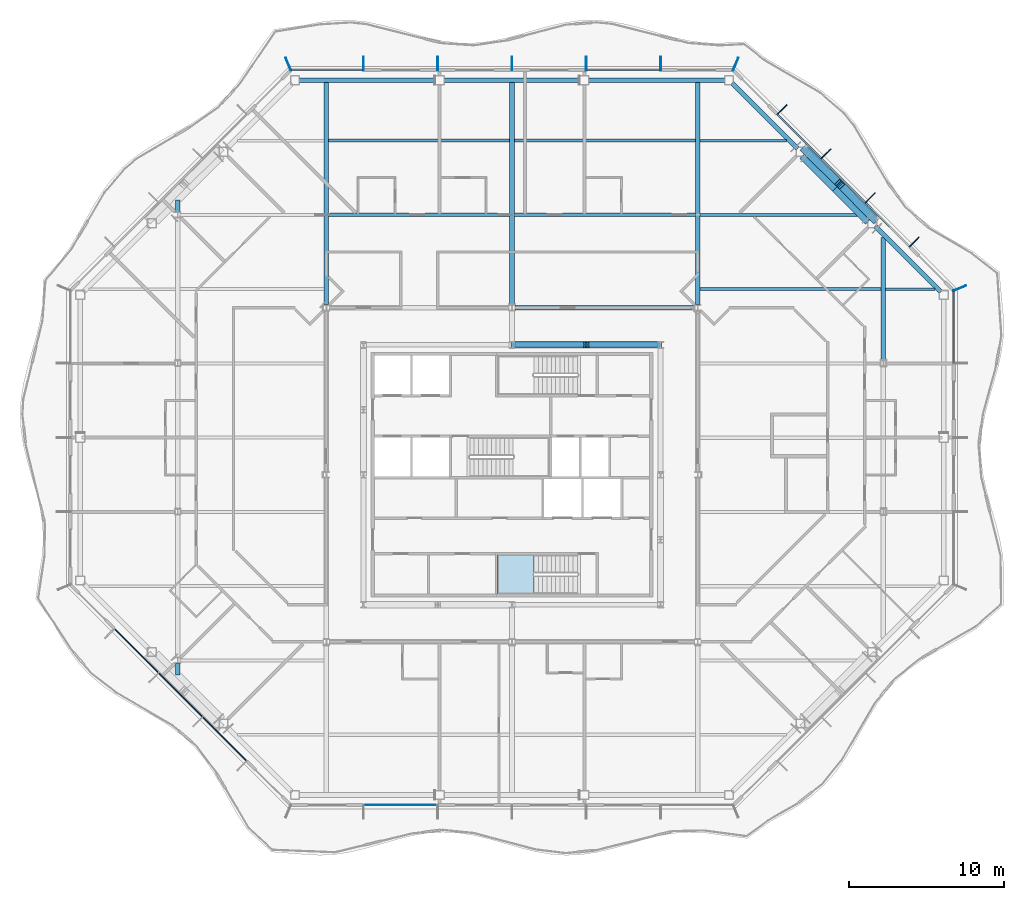
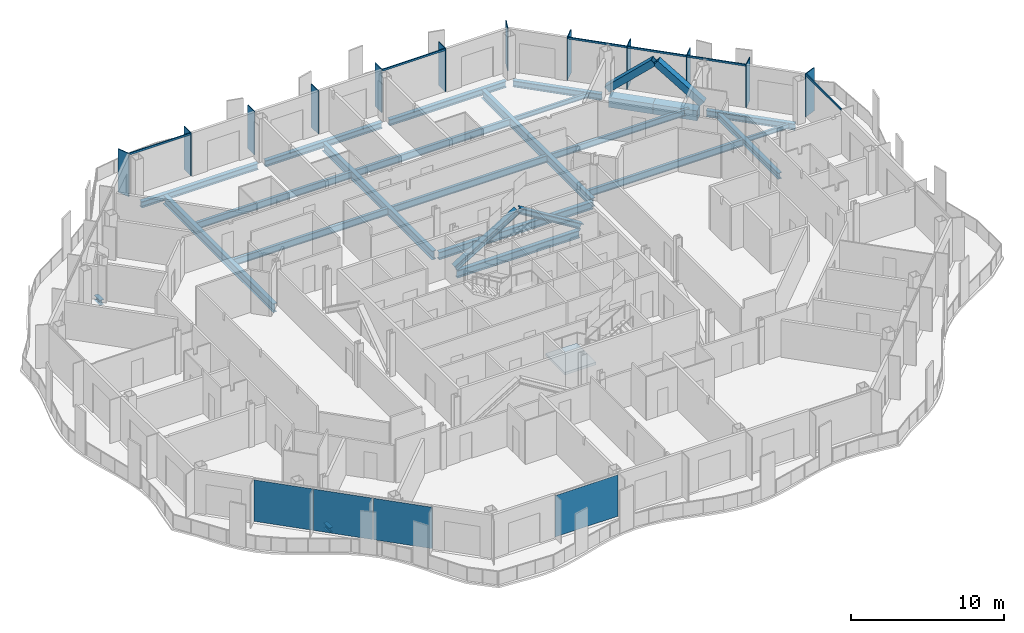
# One storey, part 5 of 20: 23 beams, 22 members, 4 plates, 1 slab, 7 elements without a shape of their own.
"""IFC4 building model written with IfcOpenShell, lengths in metres."""

from ifc_helpers import new_model, si_unit, direction, frame, origin, origin_2d, place, context, subcontext, project, spatial, polyline, rectangle, hollow_rectangle, i_section, outline, extrude, material, layer, layer_set, material_profile, profile_set, type_object, element, aggregate, save


model = new_model("IFC4")

# Units and contexts
model_context = context("Model", 3, precision=1e-05, world=origin(), true_north=direction((0.0, 1.0)))
body_context = subcontext(model_context, "Body", "Model", "MODEL_VIEW")
ifc_project = project(units=[si_unit("LENGTHUNIT", "METRE"), si_unit("AREAUNIT", "SQUARE_METRE"), si_unit("VOLUMEUNIT", "CUBIC_METRE"), si_unit("PLANEANGLEUNIT", "RADIAN"), si_unit("MASSUNIT", "GRAM", prefix="KILO")], contexts=[model_context])

# Site, building, storey
site_placement = place(None, origin())
site = spatial("IfcSite", under=ifc_project, at=site_placement, CompositionType="ELEMENT")
building_placement = place(site_placement, origin())
building = spatial("IfcBuilding", under=site, at=building_placement, Name="Cairn Pilgrim Tower", CompositionType="ELEMENT")
storey_placement = place(building_placement, frame((0.0, 0.0, 165.0)))
storey = spatial("IfcBuildingStorey", under=building, at=storey_placement, Name="L41", CompositionType="ELEMENT", Elevation=165.0)

# Members
ifc_material_1 = material(Name="Structural steel S460M", Category="steel")
ifc_material_profile_1 = material_profile(ifc_material_1, hollow_rectangle(XDim=0.5, YDim=0.5, WallThickness=0.030029296875, at=origin_2d()), Name="BOX 500x500x30")
ifc_profile_set_1 = profile_set([ifc_material_profile_1], Name="Structural steel S460M")
member_type_1 = type_object("IfcMemberType", Name="BOX 500x500x30 BRACE", PredefinedType="BRACE", material=ifc_profile_set_1)
for number, where, z_axis, x_axis, name in (
    (1, (30.643310546875, 18.89794921875, 0.14990234375), (-0.53283023714, 0.540432836476, 0.651171473306), (-0.712097799006, -0.702080283622, 0.0), "XB-NE2-NE3-1"),
    (2, (26.097900390625, 23.443359375, 0.14990234375), (0.540432836476, -0.53283023714, 0.651171473306), (0.702080283622, 0.712097799006, 0.0), "XB-NE2-NE3-2"),
):
    element("IfcMember", number, at=place(storey_placement, frame(where, z_axis=z_axis, x_axis=x_axis)), inside=storey, type_object=member_type_1, Name=name, PredefinedType="BRACE", context=body_context, shape_type="SweptSolid", body=[
        extrude(hollow_rectangle(XDim=0.5, YDim=0.5, WallThickness=0.030029296875, at=origin_2d()), origin(), (0.0, 0.0, 1.0), 4.142578125),
    ])

# Beams
ifc_material_2 = material(Name="Structural steel S355J2", Category="steel")
ifc_material_profile_2 = material_profile(ifc_material_2, hollow_rectangle(XDim=0.699951171875, YDim=0.800048828125, WallThickness=0.0400390625, at=origin_2d()), Name="BOX 700x800x40")
ifc_profile_set_2 = profile_set([ifc_material_profile_2], Name="Structural steel S355J2")
beam_type_1 = type_object("IfcBeamType", Name="BOX 700x800x40 RING GIRDER", PredefinedType="SPANDREL", material=ifc_profile_set_2)
beam_1_placement = place(storey_placement, frame((30.284912109375, 18.84228515625, -0.550048828125), z_axis=(-0.707106781187, 0.707106781187, 0.0), x_axis=(-0.707106781187, -0.707106781187, 0.0)))
element("IfcBeam", 3, at=beam_1_placement, inside=storey, type_object=beam_type_1, Name="RG2-NE2-NE3-1", PredefinedType="SPANDREL", context=body_context, shape_type="SweptSolid", body=[
    extrude(hollow_rectangle(XDim=0.699951171875, YDim=0.800048828125, WallThickness=0.0400390625, at=origin_2d()), origin(), (0.0, 0.0, 1.0), 3.0),
])
beam_2_placement = place(storey_placement, frame((28.16357421875, 20.963623046875, -0.550048828125), z_axis=(-0.707106781187, 0.707106781187, 0.0), x_axis=(-0.707106781187, -0.707106781187, 0.0)))
element("IfcBeam", 4, at=beam_2_placement, inside=storey, type_object=beam_type_1, Name="RG2-NE2-NE3-2", PredefinedType="SPANDREL", context=body_context, shape_type="SweptSolid", body=[
    extrude(hollow_rectangle(XDim=0.699951171875, YDim=0.800048828125, WallThickness=0.0400390625, at=origin_2d()), origin(), (0.0, 0.0, 1.0), 2.999755859375),
])

# Curtain wall, members
ifc_material_3 = material(Name="Aluminium alloy 6063-T6 bronze anodised with Bronze tinted laminated low-E glass 8+16+8.8", Category="aluminium")
curtain_wall_type_1 = type_object("IfcCurtainWallType", Name="CHAMFER CORNER CURTAIN WALL", PredefinedType="NOTDEFINED", material=ifc_material_3)
curtain_wall_1_placement = place(storey_placement, origin())
curtain_wall_1 = element("IfcCurtainWall", 5, at=curtain_wall_1_placement, inside=storey, type_object=curtain_wall_type_1, Name="Chamfer Corner Curtain Wall NE", PredefinedType="NOTDEFINED")
ifc_material_4 = material(Name="Aluminium alloy 6063-T6 bronze anodised", Category="aluminium")
ifc_material_profile_3 = material_profile(ifc_material_4, rectangle(XDim=0.89990234375, YDim=0.06005859375, at=origin_2d()), Name="FIN MULLION 60x900 BRONZE")
ifc_profile_set_3 = profile_set([ifc_material_profile_3], Name="Aluminium alloy 6063-T6 bronze anodised")
member_type_2 = type_object("IfcMemberType", Name="FIN MULLION 60x900 BRONZE", PredefinedType="MULLION", material=ifc_profile_set_3)
member_1_placement = place(storey_placement, frame((36.137939453125, 14.457275390625, 0.0), z_axis=(0.0, 0.0, 1.0), x_axis=(0.923879532511, 0.382683432365, 0.0)))
member_1 = element("IfcMember", 6, at=member_1_placement, type_object=member_type_2, Name="Fin mullion NE1", PredefinedType="MULLION", context=body_context, shape_type="SweptSolid", body=[
    extrude(rectangle(XDim=0.89990234375, YDim=0.06005859375, at=origin_2d()), origin(), (0.0, 0.0, 1.0), 3.449951171875),
])
member_2_placement = place(storey_placement, frame((33.1962890625, 17.444091796875, 0.0), z_axis=(0.0, 0.0, 1.0), x_axis=(0.707106781187, 0.707106781187, 0.0)))
member_2 = element("IfcMember", 7, at=member_2_placement, type_object=member_type_2, Name="Fin mullion NE2", PredefinedType="MULLION", context=body_context, shape_type="SweptSolid", body=[
    extrude(rectangle(XDim=0.89990234375, YDim=0.06005859375, at=origin_2d()), origin(), (0.0, 0.0, 1.0), 3.449951171875),
])
member_3_placement = place(storey_placement, frame((30.345458984375, 20.294921875, 0.0), z_axis=(0.0, 0.0, 1.0), x_axis=(0.707106781187, 0.707106781187, 0.0)))
member_3 = element("IfcMember", 8, at=member_3_placement, type_object=member_type_2, Name="Fin mullion NE3", PredefinedType="MULLION", context=body_context, shape_type="SweptSolid", body=[
    extrude(rectangle(XDim=0.89990234375, YDim=0.06005859375, at=origin_2d()), origin(), (0.0, 0.0, 1.0), 3.449951171875),
])
member_4_placement = place(storey_placement, frame((27.494873046875, 23.1455078125, 0.0), z_axis=(0.0, 0.0, 1.0), x_axis=(0.707106781187, 0.707106781187, 0.0)))
member_4 = element("IfcMember", 9, at=member_4_placement, type_object=member_type_2, Name="Fin mullion NE4", PredefinedType="MULLION", context=body_context, shape_type="SweptSolid", body=[
    extrude(rectangle(XDim=0.89990234375, YDim=0.06005859375, at=origin_2d()), origin(), (0.0, 0.0, 1.0), 3.449951171875),
])
member_5_placement = place(storey_placement, frame((24.64404296875, 25.996337890625, 0.0), z_axis=(0.0, 0.0, 1.0), x_axis=(0.707106781187, 0.707106781187, 0.0)))
member_5 = element("IfcMember", 10, at=member_5_placement, type_object=member_type_2, Name="Fin mullion NE5", PredefinedType="MULLION", context=body_context, shape_type="SweptSolid", body=[
    extrude(rectangle(XDim=0.89990234375, YDim=0.06005859375, at=origin_2d()), origin(), (0.0, 0.0, 1.0), 3.449951171875),
])

curtain_wall_type_2 = type_object("IfcCurtainWallType", Name="TOWER STICK CURTAIN WALL NS", PredefinedType="NOTDEFINED", material=ifc_material_3)
curtain_wall_2_placement = place(storey_placement, origin())
curtain_wall_2 = element("IfcCurtainWall", 11, at=curtain_wall_2_placement, inside=storey, type_object=curtain_wall_type_2, Name="Tower Stick Curtain Wall Ns N", PredefinedType="NOTDEFINED")
member_6_placement = place(storey_placement, frame((21.6572265625, 28.93798828125, 0.0), z_axis=(0.0, 0.0, 1.0), x_axis=(0.382683432365, 0.923879532511, 0.0)))
member_6 = element("IfcMember", 12, at=member_6_placement, type_object=member_type_2, Name="Fin mullion N1", PredefinedType="MULLION", context=body_context, shape_type="SweptSolid", body=[
    extrude(rectangle(XDim=0.89990234375, YDim=0.06005859375, at=origin_2d()), origin(), (0.0, 0.0, 1.0), 3.449951171875),
])
member_7_placement = place(storey_placement, frame((16.800048828125, 28.969970703125, 0.0), z_axis=(0.0, 0.0, 1.0), x_axis=(0.0, 1.0, 0.0)))
member_7 = element("IfcMember", 13, at=member_7_placement, type_object=member_type_2, Name="Fin mullion N2", PredefinedType="MULLION", context=body_context, shape_type="SweptSolid", body=[
    extrude(rectangle(XDim=0.89990234375, YDim=0.06005859375, at=origin_2d()), origin(), (0.0, 0.0, 1.0), 3.449951171875),
])
member_8_placement = place(storey_placement, frame((12.0, 28.969970703125, 0.0), z_axis=(0.0, 0.0, 1.0), x_axis=(0.0, 1.0, 0.0)))
member_8 = element("IfcMember", 14, at=member_8_placement, type_object=member_type_2, Name="Fin mullion N3", PredefinedType="MULLION", context=body_context, shape_type="SweptSolid", body=[
    extrude(rectangle(XDim=0.89990234375, YDim=0.06005859375, at=origin_2d()), origin(), (0.0, 0.0, 1.0), 3.449951171875),
])
member_9_placement = place(storey_placement, frame((7.199951171875, 28.969970703125, 0.0), z_axis=(0.0, 0.0, 1.0), x_axis=(0.0, 1.0, 0.0)))
member_9 = element("IfcMember", 15, at=member_9_placement, type_object=member_type_2, Name="Fin mullion N4", PredefinedType="MULLION", context=body_context, shape_type="SweptSolid", body=[
    extrude(rectangle(XDim=0.89990234375, YDim=0.06005859375, at=origin_2d()), origin(), (0.0, 0.0, 1.0), 3.449951171875),
])
member_10_placement = place(storey_placement, frame((2.39990234375, 28.969970703125, 0.0), z_axis=(0.0, 0.0, 1.0), x_axis=(0.0, 1.0, 0.0)))
member_10 = element("IfcMember", 16, at=member_10_placement, type_object=member_type_2, Name="Fin mullion N5", PredefinedType="MULLION", context=body_context, shape_type="SweptSolid", body=[
    extrude(rectangle(XDim=0.89990234375, YDim=0.06005859375, at=origin_2d()), origin(), (0.0, 0.0, 1.0), 3.449951171875),
])
member_11_placement = place(storey_placement, frame((-2.39990234375, 28.969970703125, 0.0), z_axis=(0.0, 0.0, 1.0), x_axis=(0.0, 1.0, 0.0)))
member_11 = element("IfcMember", 17, at=member_11_placement, type_object=member_type_2, Name="Fin mullion N6", PredefinedType="MULLION", context=body_context, shape_type="SweptSolid", body=[
    extrude(rectangle(XDim=0.89990234375, YDim=0.06005859375, at=origin_2d()), origin(), (0.0, 0.0, 1.0), 3.449951171875),
])

# Curtain wall, member
curtain_wall_3_placement = place(storey_placement, origin())
curtain_wall_3 = element("IfcCurtainWall", 18, at=curtain_wall_3_placement, inside=storey, type_object=curtain_wall_type_1, Name="Chamfer Corner Curtain Wall NW", PredefinedType="NOTDEFINED")
member_12_placement = place(storey_placement, frame((-7.257080078125, 28.93798828125, 0.0), z_axis=(0.0, 0.0, 1.0), x_axis=(-0.382683432365, 0.923879532511, 0.0)))
member_12 = element("IfcMember", 19, at=member_12_placement, type_object=member_type_2, Name="Fin mullion NW1", PredefinedType="MULLION", context=body_context, shape_type="SweptSolid", body=[
    extrude(rectangle(XDim=0.89990234375, YDim=0.06005859375, at=origin_2d()), origin(), (0.0, 0.0, 1.0), 3.449951171875),
])
aggregate(curtain_wall_3, [member_12])

# Members
ifc_material_profile_4 = material_profile(ifc_material_1, i_section(OverallWidth=0.408935546875, OverallDepth=0.425048828125, WebThickness=0.03271484375, FlangeThickness=0.052490234375, FilletRadius=0.014892578125, at=origin_2d()), Name="HD 400x421")
ifc_profile_set_4 = profile_set([ifc_material_profile_4], Name="Structural steel S460M")
member_type_3 = type_object("IfcMemberType", Name="HD 400x421 BRACE", PredefinedType="BRACE", material=ifc_profile_set_4)
for number, where, z_axis, x_axis, name in (
    (20, (16.75830078125, 10.800048828125, 0.10009765625), (-0.851119565216, 0.0, 0.524971890397), (0.0, -1.0, 0.0), "KB-3A"),
    (21, (7.24169921875, 10.800048828125, 0.10009765625), (0.851119565216, 0.0, 0.524971890397), (0.0, 1.0, 0.0), "KB-3B"),
):
    element("IfcMember", number, at=place(storey_placement, frame(where, z_axis=z_axis, x_axis=x_axis)), inside=storey, type_object=member_type_3, Name=name, PredefinedType="BRACE", context=body_context, shape_type="SweptSolid", body=[
        extrude(i_section(OverallWidth=0.408935546875, OverallDepth=0.425048828125, WebThickness=0.03271484375, FlangeThickness=0.052490234375, FilletRadius=0.014892578125, at=origin_2d()), origin(), (0.0, 0.0, 1.0), 5.528076171875),
    ])

# Beams
ifc_material_profile_5 = material_profile(ifc_material_2, i_section(OverallWidth=0.300048828125, OverallDepth=0.39990234375, WebThickness=0.013427734375, FlangeThickness=0.02392578125, FilletRadius=0.027099609375, at=origin_2d()), Name="HEB 400")
ifc_profile_set_5 = profile_set([ifc_material_profile_5], Name="Structural steel S355J2")
beam_type_2 = type_object("IfcBeamType", Name="HEB 400 GIRDER", PredefinedType="BEAM", material=ifc_profile_set_5)
for number, where, z_axis, x_axis, name in (
    (22, (-14.39990234375, -10.545166015625, -0.35009765625), (0.0, 1.0, 0.0), (-1.0, 0.0, 0.0), "PG1-E1"),
    (23, (-14.39990234375, 19.3994140625, -0.35009765625), (0.0, 1.0, 0.0), (-1.0, 0.0, 0.0), "PG1-E2"),
):
    element("IfcBeam", number, at=place(storey_placement, frame(where, z_axis=z_axis, x_axis=x_axis)), inside=storey, type_object=beam_type_2, Name=name, PredefinedType="BEAM", context=body_context, shape_type="SweptSolid", body=[
        extrude(i_section(OverallWidth=0.300048828125, OverallDepth=0.39990234375, WebThickness=0.013427734375, FlangeThickness=0.02392578125, FilletRadius=0.027099609375, at=origin_2d()), origin(), (0.0, 0.0, 1.0), 0.74560546875),
    ])
ifc_material_profile_6 = material_profile(ifc_material_2, i_section(OverallWidth=0.300048828125, OverallDepth=0.5, WebThickness=0.014404296875, FlangeThickness=0.028076171875, FilletRadius=0.027099609375, at=origin_2d()), Name="HEB 500")
ifc_profile_set_6 = profile_set([ifc_material_profile_6], Name="Structural steel S355J2")
beam_type_3 = type_object("IfcBeamType", Name="HEB 500 GIRDER", PredefinedType="BEAM", material=ifc_profile_set_6)
beam_3_placement = place(storey_placement, frame((31.199951171875, 9.804443359375, -0.39990234375), z_axis=(0.0, 1.0, 0.0), x_axis=(-1.0, 0.0, 0.0)))
element("IfcBeam", 24, at=beam_3_placement, inside=storey, type_object=beam_type_3, Name="PG5-3", PredefinedType="BEAM", context=body_context, shape_type="SweptSolid", body=[
    extrude(i_section(OverallWidth=0.300048828125, OverallDepth=0.5, WebThickness=0.014404296875, FlangeThickness=0.028076171875, FilletRadius=0.027099609375, at=origin_2d()), origin(), (0.0, 0.0, 1.0), 7.940673828125),
])
ifc_material_profile_7 = material_profile(ifc_material_2, i_section(OverallWidth=0.300048828125, OverallDepth=0.5, WebThickness=0.014404296875, FlangeThickness=0.028076171875, FilletRadius=0.027099609375, at=origin_2d()), Name="HEB 500")
ifc_profile_set_7 = profile_set([ifc_material_profile_7], Name="Structural steel S355J2")
beam_type_4 = type_object("IfcBeamType", Name="HEB 500 RING GIRDER", PredefinedType="SPANDREL", material=ifc_profile_set_7)
beam_4_placement = place(storey_placement, frame((34.9091796875, 14.218017578125, -0.39990234375), z_axis=(-0.707086435425, 0.707127126363, 0.0), x_axis=(-0.707127126363, -0.707086435425, 0.0)))
element("IfcBeam", 25, at=beam_4_placement, inside=storey, type_object=beam_type_4, Name="RG2-NE1-NE2", PredefinedType="SPANDREL", context=body_context, shape_type="SweptSolid", body=[
    extrude(i_section(OverallWidth=0.300048828125, OverallDepth=0.5, WebThickness=0.014404296875, FlangeThickness=0.028076171875, FilletRadius=0.027099609375, at=origin_2d()), origin(), (0.0, 0.0, 1.0), 5.999755859375),
])
beam_5_placement = place(storey_placement, frame((25.66064453125, 23.466796875, -0.39990234375), z_axis=(-0.707127127534, 0.707086434254, 0.0), x_axis=(-0.707086434254, -0.707127127534, 0.0)))
element("IfcBeam", 26, at=beam_5_placement, inside=storey, type_object=beam_type_4, Name="RG2-NE3-N1", PredefinedType="SPANDREL", context=body_context, shape_type="SweptSolid", body=[
    extrude(i_section(OverallWidth=0.300048828125, OverallDepth=0.5, WebThickness=0.014404296875, FlangeThickness=0.028076171875, FilletRadius=0.027099609375, at=origin_2d()), origin(), (0.0, 0.0, 1.0), 5.99951171875),
])
for number, where, z_axis, x_axis, name in (
    (27, (20.957275390625, 27.89990234375, -0.39990234375), (-1.0, 0.0, 0.0), (0.0, -1.0, 0.0), "RG2-N1-N2"),
    (28, (11.605712890625, 27.89990234375, -0.39990234375), (-1.0, 0.0, 0.0), (0.0, -1.0, 0.0), "RG2-N2-N3"),
    (29, (2.25439453125, 27.89990234375, -0.39990234375), (-1.0, 0.0, 0.0), (0.0, -1.0, 0.0), "RG2-N3-NW1"),
):
    element("IfcBeam", number, at=place(storey_placement, frame(where, z_axis=z_axis, x_axis=x_axis)), inside=storey, type_object=beam_type_4, Name=name, PredefinedType="SPANDREL", context=body_context, shape_type="SweptSolid", body=[
        extrude(i_section(OverallWidth=0.300048828125, OverallDepth=0.5, WebThickness=0.014404296875, FlangeThickness=0.028076171875, FilletRadius=0.027099609375, at=origin_2d()), origin(), (0.0, 0.0, 1.0), 8.8115234375),
    ])
ifc_material_profile_8 = material_profile(ifc_material_2, i_section(OverallWidth=0.300048828125, OverallDepth=0.60009765625, WebThickness=0.015380859375, FlangeThickness=0.030029296875, FilletRadius=0.027099609375, at=origin_2d()), Name="HEB 600")
ifc_profile_set_8 = profile_set([ifc_material_profile_8], Name="Structural steel S355J2")
beam_type_5 = type_object("IfcBeamType", Name="HEB 600 CORE BEAM", PredefinedType="BEAM", material=ifc_profile_set_8)
beam_6_placement = place(storey_placement, frame((16.61279296875, 10.800048828125, -0.449951171875), z_axis=(-1.0, 0.0, 0.0), x_axis=(0.0, -1.0, 0.0)))
element("IfcBeam", 30, at=beam_6_placement, inside=storey, type_object=beam_type_5, Name="CB-5", PredefinedType="BEAM", context=body_context, shape_type="SweptSolid", body=[
    extrude(i_section(OverallWidth=0.300048828125, OverallDepth=0.60009765625, WebThickness=0.015380859375, FlangeThickness=0.030029296875, FilletRadius=0.027099609375, at=origin_2d()), origin(), (0.0, 0.0, 1.0), 9.2255859375),
])
ifc_material_profile_9 = material_profile(ifc_material_2, i_section(OverallWidth=0.300048828125, OverallDepth=0.60009765625, WebThickness=0.015380859375, FlangeThickness=0.030029296875, FilletRadius=0.027099609375, at=origin_2d()), Name="HEB 600")
ifc_profile_set_9 = profile_set([ifc_material_profile_9], Name="Structural steel S355J2")
beam_type_6 = type_object("IfcBeamType", Name="HEB 600 INNER GIRDER", PredefinedType="BEAM", material=ifc_profile_set_9)
beam_7_placement = place(storey_placement, frame((7.3994140625, 13.199951171875, -0.449951171875), z_axis=(1.0, 0.0, 0.0), x_axis=(0.0, 1.0, 0.0)))
element("IfcBeam", 31, at=beam_7_placement, inside=storey, type_object=beam_type_6, Name="IG2-2", PredefinedType="BEAM", context=body_context, shape_type="SweptSolid", body=[
    extrude(i_section(OverallWidth=0.300048828125, OverallDepth=0.60009765625, WebThickness=0.015380859375, FlangeThickness=0.030029296875, FilletRadius=0.027099609375, at=origin_2d()), origin(), (0.0, 0.0, 1.0), 11.60107421875),
])
ifc_material_profile_10 = material_profile(ifc_material_2, i_section(OverallWidth=0.300048828125, OverallDepth=0.699951171875, WebThickness=0.01708984375, FlangeThickness=0.031982421875, FilletRadius=0.027099609375, at=origin_2d()), Name="HEB 700")
ifc_profile_set_10 = profile_set([ifc_material_profile_10], Name="Structural steel S355J2")
beam_type_7 = type_object("IfcBeamType", Name="HEB 700 GIRDER", PredefinedType="BEAM", material=ifc_profile_set_10)
for number, where, z_axis, x_axis, name in (
    (32, (-4.800048828125, 13.3994140625, -0.5), (0.0, 1.0, 0.0), (-1.0, 0.0, 0.0), "PG2-4"),
    (33, (7.199951171875, 13.3994140625, -0.5), (0.0, 1.0, 0.0), (-1.0, 0.0, 0.0), "PG3-2"),
    (34, (19.199951171875, 13.3994140625, -0.5), (0.0, 1.0, 0.0), (-1.0, 0.0, 0.0), "PG4-4"),
):
    element("IfcBeam", number, at=place(storey_placement, frame(where, z_axis=z_axis, x_axis=x_axis)), inside=storey, type_object=beam_type_7, Name=name, PredefinedType="BEAM", context=body_context, shape_type="SweptSolid", body=[
        extrude(i_section(OverallWidth=0.300048828125, OverallDepth=0.699951171875, WebThickness=0.01708984375, FlangeThickness=0.031982421875, FilletRadius=0.027099609375, at=origin_2d()), origin(), (0.0, 0.0, 1.0), 14.380615234375),
    ])
ifc_material_profile_11 = material_profile(ifc_material_2, i_section(OverallWidth=0.169921875, OverallDepth=0.360107421875, WebThickness=0.008056640625, FlangeThickness=0.0126953125, FilletRadius=0.01806640625, at=origin_2d()), Name="IPE 360")
ifc_profile_set_11 = profile_set([ifc_material_profile_11], Name="Structural steel S355J2")
beam_type_8 = type_object("IfcBeamType", Name="IPE 360 SECONDARY BEAM", PredefinedType="JOIST", material=ifc_profile_set_11)
beam_8_placement = place(storey_placement, frame((31.35009765625, 14.39990234375, -0.330078125), z_axis=(1.0, 0.0, 0.0), x_axis=(0.0, 1.0, 0.0)))
element("IfcBeam", 35, at=beam_8_placement, inside=storey, type_object=beam_type_8, Name="SB7-4", PredefinedType="JOIST", context=body_context, shape_type="SweptSolid", body=[
    extrude(i_section(OverallWidth=0.169921875, OverallDepth=0.360107421875, WebThickness=0.008056640625, FlangeThickness=0.0126953125, FilletRadius=0.01806640625, at=origin_2d()), origin(), (0.0, 0.0, 1.0), 3.195068359375),
])
beam_9_placement = place(storey_placement, frame((19.35009765625, 24.0, -0.330078125), z_axis=(1.0, 0.0, 0.0), x_axis=(0.0, 1.0, 0.0)))
element("IfcBeam", 36, at=beam_9_placement, inside=storey, type_object=beam_type_8, Name="SB9-4", PredefinedType="JOIST", context=body_context, shape_type="SweptSolid", body=[
    extrude(i_section(OverallWidth=0.169921875, OverallDepth=0.360107421875, WebThickness=0.008056640625, FlangeThickness=0.0126953125, FilletRadius=0.01806640625, at=origin_2d()), origin(), (0.0, 0.0, 1.0), 5.594970703125),
])
ifc_material_profile_12 = material_profile(ifc_material_2, i_section(OverallWidth=0.199951171875, OverallDepth=0.5, WebThickness=0.01025390625, FlangeThickness=0.01611328125, FilletRadius=0.02099609375, at=origin_2d()), Name="IPE 500")
ifc_profile_set_12 = profile_set([ifc_material_profile_12], Name="Structural steel S355J2")
beam_type_9 = type_object("IfcBeamType", Name="IPE 500 SECONDARY BEAM", PredefinedType="JOIST", material=ifc_profile_set_12)
beam_10_placement = place(storey_placement, frame((19.35009765625, 19.199951171875, -0.39990234375), z_axis=(1.0, 0.0, 0.0), x_axis=(0.0, 1.0, 0.0)))
element("IfcBeam", 37, at=beam_10_placement, inside=storey, type_object=beam_type_9, Name="SB8-4", PredefinedType="JOIST", context=body_context, shape_type="SweptSolid", body=[
    extrude(i_section(OverallWidth=0.199951171875, OverallDepth=0.5, WebThickness=0.01025390625, FlangeThickness=0.01611328125, FilletRadius=0.02099609375, at=origin_2d()), origin(), (0.0, 0.0, 1.0), 10.39501953125),
])
ifc_material_profile_13 = material_profile(ifc_material_2, i_section(OverallWidth=0.2099609375, OverallDepth=0.550048828125, WebThickness=0.010986328125, FlangeThickness=0.01708984375, FilletRadius=0.02392578125, at=origin_2d()), Name="IPE 550")
ifc_profile_set_13 = profile_set([ifc_material_profile_13], Name="Structural steel S355J2")
beam_type_10 = type_object("IfcBeamType", Name="IPE 550 SECONDARY BEAM", PredefinedType="JOIST", material=ifc_profile_set_13)
for number, where, z_axis, x_axis, name in (
    (38, (19.35009765625, 14.39990234375, -0.425048828125), (1.0, 0.0, 0.0), (0.0, 1.0, 0.0), "SB7-3"),
    (39, (-4.64990234375, 19.199951171875, -0.425048828125), (1.0, 0.0, 0.0), (0.0, 1.0, 0.0), "SB8-2"),
    (40, (7.35009765625, 19.199951171875, -0.425048828125), (1.0, 0.0, 0.0), (0.0, 1.0, 0.0), "SB8-3"),
    (41, (-4.64990234375, 24.0, -0.425048828125), (1.0, 0.0, 0.0), (0.0, 1.0, 0.0), "SB9-2"),
    (42, (7.35009765625, 24.0, -0.425048828125), (1.0, 0.0, 0.0), (0.0, 1.0, 0.0), "SB9-3"),
):
    element("IfcBeam", number, at=place(storey_placement, frame(where, z_axis=z_axis, x_axis=x_axis)), inside=storey, type_object=beam_type_10, Name=name, PredefinedType="JOIST", context=body_context, shape_type="SweptSolid", body=[
        extrude(i_section(OverallWidth=0.2099609375, OverallDepth=0.550048828125, WebThickness=0.010986328125, FlangeThickness=0.01708984375, FilletRadius=0.02392578125, at=origin_2d()), origin(), (0.0, 0.0, 1.0), 11.699951171875),
    ])

# Curtain wall, member
curtain_wall_type_3 = type_object("IfcCurtainWallType", Name="TOWER STICK CURTAIN WALL EW", PredefinedType="NOTDEFINED", material=ifc_material_3)
curtain_wall_4_placement = place(storey_placement, origin())
curtain_wall_4 = element("IfcCurtainWall", 43, at=curtain_wall_4_placement, inside=storey, type_object=curtain_wall_type_3, Name="Tower Stick Curtain Wall Ew E", PredefinedType="NOTDEFINED")
ifc_material_profile_14 = material_profile(ifc_material_4, rectangle(XDim=0.080078125, YDim=0.14990234375, at=origin_2d()), Name="TRANSOM 80x150 BRONZE")
ifc_profile_set_14 = profile_set([ifc_material_profile_14], Name="Aluminium alloy 6063-T6 bronze anodised")
member_type_4 = type_object("IfcMemberType", Name="TRANSOM 80x150 BRONZE", PredefinedType="USERDEFINED", material=ifc_profile_set_14)
member_13_placement = place(storey_placement, frame((35.75, 9.6298828125, 3.375), z_axis=(0.0, 1.0, 0.0), x_axis=(-1.0, 0.0, 0.0)))
member_13 = element("IfcMember", 44, at=member_13_placement, type_object=member_type_4, Name="Transom E4", ObjectType="TRANSOM", PredefinedType="USERDEFINED", context=body_context, shape_type="SweptSolid", body=[
    extrude(rectangle(XDim=0.080078125, YDim=0.14990234375, at=origin_2d()), origin(), (0.0, 0.0, 1.0), 4.62646484375),
])
aggregate(curtain_wall_4, [member_13])

# Member
member_14_placement = place(storey_placement, frame((32.878173828125, 17.16845703125, 3.375), z_axis=(-0.70713751761, 0.707076043427, 0.0), x_axis=(-0.707076043427, -0.70713751761, 0.0)))
member_14 = element("IfcMember", 45, at=member_14_placement, type_object=member_type_4, Name="Transom NE2", ObjectType="TRANSOM", PredefinedType="USERDEFINED", context=body_context, shape_type="SweptSolid", body=[
    extrude(rectangle(XDim=0.080078125, YDim=0.14990234375, at=origin_2d()), origin(), (0.0, 0.0, 1.0), 3.971435546875),
])

member_15_placement = place(storey_placement, frame((30.02734375, 20.01904296875, 3.375), z_axis=(-0.707106781187, 0.707106781187, 0.0), x_axis=(-0.707106781187, -0.707106781187, 0.0)))
member_15 = element("IfcMember", 46, at=member_15_placement, type_object=member_type_4, Name="Transom NE3", ObjectType="TRANSOM", PredefinedType="USERDEFINED", context=body_context, shape_type="SweptSolid", body=[
    extrude(rectangle(XDim=0.080078125, YDim=0.14990234375, at=origin_2d()), origin(), (0.0, 0.0, 1.0), 3.9716796875),
])

member_16_placement = place(storey_placement, frame((27.1767578125, 22.869873046875, 3.375), z_axis=(-0.70713751761, 0.707076043427, 0.0), x_axis=(-0.707076043427, -0.70713751761, 0.0)))
member_16 = element("IfcMember", 47, at=member_16_placement, type_object=member_type_4, Name="Transom NE4", ObjectType="TRANSOM", PredefinedType="USERDEFINED", context=body_context, shape_type="SweptSolid", body=[
    extrude(rectangle(XDim=0.080078125, YDim=0.14990234375, at=origin_2d()), origin(), (0.0, 0.0, 1.0), 3.971435546875),
])

aggregate(curtain_wall_1, [member_1, member_2, member_3, member_4, member_5, member_14, member_15, member_16])

member_17_placement = place(storey_placement, frame((16.77001953125, 28.550048828125, 3.375), z_axis=(-1.0, 0.0, 0.0), x_axis=(0.0, -1.0, 0.0)))
member_17 = element("IfcMember", 48, at=member_17_placement, type_object=member_type_4, Name="Transom N2", ObjectType="TRANSOM", PredefinedType="USERDEFINED", context=body_context, shape_type="SweptSolid", body=[
    extrude(rectangle(XDim=0.080078125, YDim=0.14990234375, at=origin_2d()), origin(), (0.0, 0.0, 1.0), 4.739990234375),
])

member_18_placement = place(storey_placement, frame((-2.429931640625, 28.550048828125, 3.375), z_axis=(-1.0, 0.0, 0.0), x_axis=(0.0, -1.0, 0.0)))
member_18 = element("IfcMember", 49, at=member_18_placement, type_object=member_type_4, Name="Transom N6", ObjectType="TRANSOM", PredefinedType="USERDEFINED", context=body_context, shape_type="SweptSolid", body=[
    extrude(rectangle(XDim=0.080078125, YDim=0.14990234375, at=origin_2d()), origin(), (0.0, 0.0, 1.0), 4.62646484375),
])

aggregate(curtain_wall_2, [member_6, member_7, member_8, member_9, member_10, member_11, member_17, member_18])

# Curtain wall, plates
curtain_wall_5_placement = place(storey_placement, origin())
curtain_wall_5 = element("IfcCurtainWall", 50, at=curtain_wall_5_placement, inside=storey, type_object=curtain_wall_type_1, Name="Chamfer Corner Curtain Wall SW", PredefinedType="NOTDEFINED")
ifc_material_5 = material(Name="Bronze anodised aluminium spandrel panel with mineral wool insulation", Category="aluminium")
ifc_layer_1 = layer(ifc_material_5, 0.06005859375)
ifc_layer_set_1 = layer_set([ifc_layer_1], Name="SPANDREL PANEL 3972x3300")
plate_type_1 = type_object("IfcPlateType", Name="SPANDREL PANEL 3972x3300", PredefinedType="CURTAIN_PANEL", material=ifc_layer_set_1)
plate_1_placement = place(storey_placement, frame((-17.073974609375, -8.972412109375, 0.0), z_axis=(0.0, 0.0, 1.0), x_axis=(0.707106781187, -0.707106781187, 0.0)))
plate_1 = element("IfcPlate", 51, at=plate_1_placement, type_object=plate_type_1, Name="Spandrel Panel SW2-1", PredefinedType="CURTAIN_PANEL", context=body_context, shape_type="SweptSolid", body=[
    extrude(rectangle(XDim=3.971435546875, YDim=0.06005859375, at=origin_2d()), origin(), (0.0, 0.0, 1.0), 3.300048828125),
])
plate_2_placement = place(storey_placement, frame((-14.22314453125, -11.8232421875, 0.0), z_axis=(0.0, 0.0, 1.0), x_axis=(0.707106781187, -0.707106781187, 0.0)))
plate_2 = element("IfcPlate", 52, at=plate_2_placement, type_object=plate_type_1, Name="Spandrel Panel SW3-1", PredefinedType="CURTAIN_PANEL", context=body_context, shape_type="SweptSolid", body=[
    extrude(rectangle(XDim=3.971435546875, YDim=0.06005859375, at=origin_2d()), origin(), (0.0, 0.0, 1.0), 3.300048828125),
])
plate_3_placement = place(storey_placement, frame((-11.37255859375, -14.673828125, 0.0), z_axis=(0.0, 0.0, 1.0), x_axis=(0.707106781187, -0.707106781187, 0.0)))
plate_3 = element("IfcPlate", 53, at=plate_3_placement, type_object=plate_type_1, Name="Spandrel Panel SW4-1", PredefinedType="CURTAIN_PANEL", context=body_context, shape_type="SweptSolid", body=[
    extrude(rectangle(XDim=3.971435546875, YDim=0.06005859375, at=origin_2d()), origin(), (0.0, 0.0, 1.0), 3.300048828125),
])
aggregate(curtain_wall_5, [plate_1, plate_2, plate_3])

# Stair, slab
ifc_material_6 = material(Name="Concrete C32/40", Category="concrete")
stair_type = type_object("IfcStairType", Name="EXIT STAIR 1200", PredefinedType="HALF_TURN_STAIR", material=ifc_material_6)
stair_placement = place(storey_placement, origin())
stair = element("IfcStair", 54, at=stair_placement, inside=storey, type_object=stair_type, Name="L41 Exit Stair A", PredefinedType="HALF_TURN_STAIR")
ifc_layer_2 = layer(ifc_material_6, 0.199951171875)
ifc_layer_set_2 = layer_set([ifc_layer_2], Name="STAIR LANDING 200")
slab_type = type_object("IfcSlabType", Name="STAIR LANDING 200", PredefinedType="LANDING", material=ifc_layer_set_2)
slab_placement = place(storey_placement, frame((0.0, 0.0, 1.60009765625)))
slab = element("IfcSlab", 55, at=slab_placement, type_object=slab_type, Name="ST-A landing 1", PredefinedType="LANDING", context=body_context, shape_type="SweptSolid", body=[
    extrude(outline(polyline([(8.625, -2.77490234375), (6.27490234375, -2.77490234375), (6.27490234375, -5.300048828125), (8.625, -5.300048828125), (8.625, -2.77490234375)])), origin(), (0.0, 0.0, 1.0), 0.199951171875),
])
aggregate(stair, [slab])

# Curtain wall, plate
curtain_wall_6_placement = place(storey_placement, origin())
curtain_wall_6 = element("IfcCurtainWall", 56, at=curtain_wall_6_placement, inside=storey, type_object=curtain_wall_type_2, Name="Tower Stick Curtain Wall Ns S", PredefinedType="NOTDEFINED")
ifc_material_7 = material(Name="Bronze tinted laminated low-E glass 8+16+8.8", Category="glass")
ifc_layer_3 = layer(ifc_material_7, 0.033935546875)
ifc_layer_set_3 = layer_set([ifc_layer_3], Name="VISION GLAZING 4740x3300")
plate_type_2 = type_object("IfcPlateType", Name="VISION GLAZING 4740x3300", PredefinedType="CURTAIN_PANEL", material=ifc_layer_set_3)
plate_4_placement = place(storey_placement, frame((0.0, -18.949951171875, 0.0), z_axis=(0.0, 0.0, 1.0), x_axis=(1.0, 0.0, 0.0)))
plate_4 = element("IfcPlate", 57, at=plate_4_placement, type_object=plate_type_2, Name="Vision Glazing S2-1", PredefinedType="CURTAIN_PANEL", context=body_context, shape_type="SweptSolid", body=[
    extrude(rectangle(XDim=4.739990234375, YDim=0.033935546875, at=origin_2d()), origin(), (0.0, 0.0, 1.0), 3.300048828125),
])
aggregate(curtain_wall_6, [plate_4])

save(model, "model.ifc")
